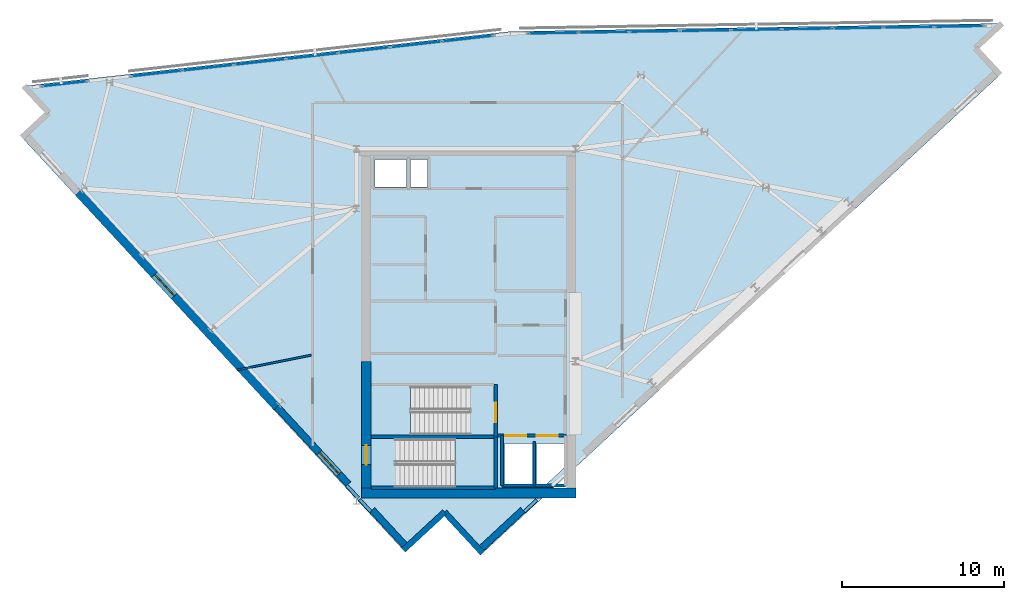
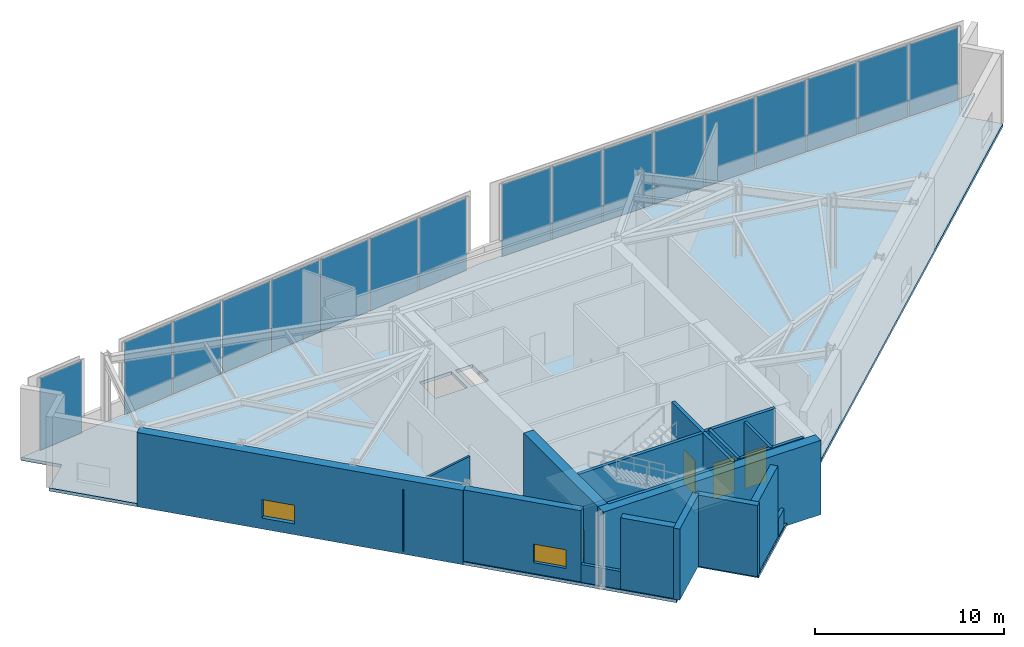
# One storey, part 8 of 12: 20 walls, 17 plates, 4 doors, 3 slabs, 2 windows, 6 openings, 5 elements without a shape of their own.
"""IFC4 building model written with IfcOpenShell, lengths in metres."""

from ifc_helpers import new_model, si_unit, direction, frame, frame_2d, origin, origin_2d, place, context, subcontext, project, spatial, polyline, rectangle, outline, extrude, material, layer, layer_set, type_object, element, fill, aggregate, save


model = new_model("IFC4")

# Units and contexts
model_context = context("Model", 3, precision=1e-05, world=origin(), true_north=direction((0.0, 1.0)))
body_context = subcontext(model_context, "Body", "Model", "MODEL_VIEW")
ifc_project = project(units=[si_unit("LENGTHUNIT", "METRE"), si_unit("AREAUNIT", "SQUARE_METRE"), si_unit("VOLUMEUNIT", "CUBIC_METRE"), si_unit("PLANEANGLEUNIT", "RADIAN"), si_unit("MASSUNIT", "GRAM", prefix="KILO")], contexts=[model_context])

# Site, building, storey
site_placement = place(None, origin())
site = spatial("IfcSite", under=ifc_project, at=site_placement, CompositionType="ELEMENT")
building_placement = place(site_placement, origin())
building = spatial("IfcBuilding", under=site, at=building_placement, Name="Narakoshi Arena Tower", CompositionType="ELEMENT")
storey_placement = place(building_placement, frame((0.0, 0.0, 298.179931640625)))
storey = spatial("IfcBuildingStorey", under=building, at=storey_placement, Name="L81", CompositionType="ELEMENT", Elevation=298.179931640625)

# Curtain wall, plate
ifc_material_1 = material(Name="Anodised bronze aluminium 6063-T6", Category="aluminium")
curtain_wall_type = type_object("IfcCurtainWallType", Name="CW-CRN-FACET", PredefinedType="NOTDEFINED", material=ifc_material_1)
curtain_wall_1_placement = place(storey_placement, origin())
curtain_wall_1 = element("IfcCurtainWall", 1, at=curtain_wall_1_placement, inside=storey, type_object=curtain_wall_type, Name="L81 Slanted-Cut Crown Curtain Wall 5-1", PredefinedType="NOTDEFINED")
ifc_material_2 = material(Name="Bronze-tinted low-E laminated glass", Category="glass")
ifc_layer_1 = layer(ifc_material_2, 0.0439453125)
ifc_layer_set_1 = layer_set([ifc_layer_1], Name="Bronze-tinted low-E laminated glass")
plate_type = type_object("IfcPlateType", Name="PLT-GLZ-44", PredefinedType="CURTAIN_PANEL", material=ifc_layer_set_1)
plate_1_placement = place(storey_placement, frame((53.931640625, 60.52734375, 0.0703125), z_axis=(0.0, 0.0, 1.0), x_axis=(0.993776228952, 0.1113948238, 0.0)))
plate_1 = element("IfcPlate", 2, at=plate_1_placement, type_object=plate_type, Name="CW-06 panel 1.1", PredefinedType="CURTAIN_PANEL", context=body_context, shape_type="SweptSolid", body=[
    extrude(rectangle(XDim=2.756591796875, YDim=0.0439453125, at=origin_2d()), origin(), (0.0, 0.0, 1.0), 4.659912109375),
])
aggregate(curtain_wall_1, [plate_1])

# Curtain wall, plates
curtain_wall_2_placement = place(storey_placement, origin())
curtain_wall_2 = element("IfcCurtainWall", 3, at=curtain_wall_2_placement, inside=storey, type_object=curtain_wall_type, Name="L81 Slanted-Cut Crown Curtain Wall 5-2", PredefinedType="NOTDEFINED")
plate_2_placement = place(storey_placement, frame((59.628662109375, 61.166015625, 0.0703125), z_axis=(0.0, 0.0, 1.0), x_axis=(0.993776180576, 0.11139525537, 0.0)))
plate_2 = element("IfcPlate", 4, at=plate_2_placement, type_object=plate_type, Name="CW-06 panel 1.1", PredefinedType="CURTAIN_PANEL", context=body_context, shape_type="SweptSolid", body=[
    extrude(rectangle(XDim=3.11572265625, YDim=0.0439453125, at=origin_2d()), origin(), (0.0, 0.0, 1.0), 4.659912109375),
])
plate_3_placement = place(storey_placement, frame((62.824462890625, 61.524169921875, 0.0703125), z_axis=(0.0, 0.0, 1.0), x_axis=(0.993776180576, 0.11139525537, 0.0)))
plate_3 = element("IfcPlate", 5, at=plate_3_placement, type_object=plate_type, Name="CW-06 panel 2.1", PredefinedType="CURTAIN_PANEL", context=body_context, shape_type="SweptSolid", body=[
    extrude(rectangle(XDim=3.15576171875, YDim=0.0439453125, at=origin_2d()), origin(), (0.0, 0.0, 1.0), 4.659912109375),
])
plate_4_placement = place(storey_placement, frame((66.040283203125, 61.884521484375, 0.0703125), z_axis=(0.0, 0.0, 1.0), x_axis=(0.993776180576, 0.11139525537, 0.0)))
plate_4 = element("IfcPlate", 6, at=plate_4_placement, type_object=plate_type, Name="CW-06 panel 3.1", PredefinedType="CURTAIN_PANEL", context=body_context, shape_type="SweptSolid", body=[
    extrude(rectangle(XDim=3.15576171875, YDim=0.0439453125, at=origin_2d()), origin(), (0.0, 0.0, 1.0), 4.659912109375),
])
plate_5_placement = place(storey_placement, frame((69.255859375, 62.2451171875, 0.0703125), z_axis=(0.0, 0.0, 1.0), x_axis=(0.993776180576, 0.11139525537, 0.0)))
plate_5 = element("IfcPlate", 7, at=plate_5_placement, type_object=plate_type, Name="CW-06 panel 4.1", PredefinedType="CURTAIN_PANEL", context=body_context, shape_type="SweptSolid", body=[
    extrude(rectangle(XDim=3.15576171875, YDim=0.0439453125, at=origin_2d()), origin(), (0.0, 0.0, 1.0), 4.659912109375),
])
plate_6_placement = place(storey_placement, frame((72.4716796875, 62.60546875, 0.0703125), z_axis=(0.0, 0.0, 1.0), x_axis=(0.993776180576, 0.11139525537, 0.0)))
plate_6 = element("IfcPlate", 8, at=plate_6_placement, type_object=plate_type, Name="CW-06 panel 5.1", PredefinedType="CURTAIN_PANEL", context=body_context, shape_type="SweptSolid", body=[
    extrude(rectangle(XDim=3.15576171875, YDim=0.0439453125, at=origin_2d()), origin(), (0.0, 0.0, 1.0), 4.659912109375),
])
plate_7_placement = place(storey_placement, frame((75.687255859375, 62.966064453125, 0.0703125), z_axis=(0.0, 0.0, 1.0), x_axis=(0.993776180576, 0.11139525537, 0.0)))
plate_7 = element("IfcPlate", 9, at=plate_7_placement, type_object=plate_type, Name="CW-06 panel 6.1", PredefinedType="CURTAIN_PANEL", context=body_context, shape_type="SweptSolid", body=[
    extrude(rectangle(XDim=3.15576171875, YDim=0.0439453125, at=origin_2d()), origin(), (0.0, 0.0, 1.0), 4.659912109375),
])
plate_8_placement = place(storey_placement, frame((78.883056640625, 63.32421875, 0.0703125), z_axis=(0.0, 0.0, 1.0), x_axis=(0.993776180576, 0.11139525537, 0.0)))
plate_8 = element("IfcPlate", 10, at=plate_8_placement, type_object=plate_type, Name="CW-06 panel 7.1", PredefinedType="CURTAIN_PANEL", context=body_context, shape_type="SweptSolid", body=[
    extrude(rectangle(XDim=3.11572265625, YDim=0.0439453125, at=origin_2d()), origin(), (0.0, 0.0, 1.0), 4.659912109375),
])
aggregate(curtain_wall_2, [plate_2, plate_3, plate_4, plate_5, plate_6, plate_7, plate_8])

curtain_wall_3_placement = place(storey_placement, origin())
curtain_wall_3 = element("IfcCurtainWall", 11, at=curtain_wall_3_placement, inside=storey, type_object=curtain_wall_type, Name="L81 Slanted-Cut Crown Curtain Wall 6-1", PredefinedType="NOTDEFINED")
plate_9_placement = place(storey_placement, frame((84.184326171875, 63.666259765625, 0.0703125), z_axis=(0.0, 0.0, 1.0), x_axis=(0.999864745217, 0.016446618882, 0.0)))
plate_9 = element("IfcPlate", 12, at=plate_9_placement, type_object=plate_type, Name="CW-06 panel 1.1", PredefinedType="CURTAIN_PANEL", context=body_context, shape_type="SweptSolid", body=[
    extrude(rectangle(XDim=3.02685546875, YDim=0.0439453125, at=origin_2d()), origin(), (0.0, 0.0, 1.0), 4.659912109375),
])
plate_10_placement = place(storey_placement, frame((87.310791015625, 63.7177734375, 0.0703125), z_axis=(0.0, 0.0, 1.0), x_axis=(0.999864745217, 0.016446618882, 0.0)))
plate_10 = element("IfcPlate", 13, at=plate_10_placement, type_object=plate_type, Name="CW-06 panel 2.1", PredefinedType="CURTAIN_PANEL", context=body_context, shape_type="SweptSolid", body=[
    extrude(rectangle(XDim=3.06689453125, YDim=0.0439453125, at=origin_2d()), origin(), (0.0, 0.0, 1.0), 4.659912109375),
])
plate_11_placement = place(storey_placement, frame((90.45703125, 63.76953125, 0.0703125), z_axis=(0.0, 0.0, 1.0), x_axis=(0.999864745217, 0.016446618882, 0.0)))
plate_11 = element("IfcPlate", 14, at=plate_11_placement, type_object=plate_type, Name="CW-06 panel 3.1", PredefinedType="CURTAIN_PANEL", context=body_context, shape_type="SweptSolid", body=[
    extrude(rectangle(XDim=3.06689453125, YDim=0.0439453125, at=origin_2d()), origin(), (0.0, 0.0, 1.0), 4.659912109375),
])
plate_12_placement = place(storey_placement, frame((93.603515625, 63.8212890625, 0.0703125), z_axis=(0.0, 0.0, 1.0), x_axis=(0.999864745217, 0.016446618882, 0.0)))
plate_12 = element("IfcPlate", 15, at=plate_12_placement, type_object=plate_type, Name="CW-06 panel 4.1", PredefinedType="CURTAIN_PANEL", context=body_context, shape_type="SweptSolid", body=[
    extrude(rectangle(XDim=3.06689453125, YDim=0.0439453125, at=origin_2d()), origin(), (0.0, 0.0, 1.0), 4.659912109375),
])
plate_13_placement = place(storey_placement, frame((96.75, 63.873046875, 0.0703125), z_axis=(0.0, 0.0, 1.0), x_axis=(0.999864745217, 0.016446618882, 0.0)))
plate_13 = element("IfcPlate", 16, at=plate_13_placement, type_object=plate_type, Name="CW-06 panel 5.1", PredefinedType="CURTAIN_PANEL", context=body_context, shape_type="SweptSolid", body=[
    extrude(rectangle(XDim=3.06689453125, YDim=0.0439453125, at=origin_2d()), origin(), (0.0, 0.0, 1.0), 4.659912109375),
])
plate_14_placement = place(storey_placement, frame((99.896484375, 63.9248046875, 0.0703125), z_axis=(0.0, 0.0, 1.0), x_axis=(0.999864745217, 0.016446618882, 0.0)))
plate_14 = element("IfcPlate", 17, at=plate_14_placement, type_object=plate_type, Name="CW-06 panel 6.1", PredefinedType="CURTAIN_PANEL", context=body_context, shape_type="SweptSolid", body=[
    extrude(rectangle(XDim=3.06689453125, YDim=0.0439453125, at=origin_2d()), origin(), (0.0, 0.0, 1.0), 4.659912109375),
])
plate_15_placement = place(storey_placement, frame((103.04296875, 63.9765625, 0.0703125), z_axis=(0.0, 0.0, 1.0), x_axis=(0.999864745217, 0.016446618882, 0.0)))
plate_15 = element("IfcPlate", 18, at=plate_15_placement, type_object=plate_type, Name="CW-06 panel 7.1", PredefinedType="CURTAIN_PANEL", context=body_context, shape_type="SweptSolid", body=[
    extrude(rectangle(XDim=3.06689453125, YDim=0.0439453125, at=origin_2d()), origin(), (0.0, 0.0, 1.0), 4.659912109375),
])
plate_16_placement = place(storey_placement, frame((106.189453125, 64.0283203125, 0.0703125), z_axis=(0.0, 0.0, 1.0), x_axis=(0.999864745217, 0.016446618882, 0.0)))
plate_16 = element("IfcPlate", 19, at=plate_16_placement, type_object=plate_type, Name="CW-06 panel 8.1", PredefinedType="CURTAIN_PANEL", context=body_context, shape_type="SweptSolid", body=[
    extrude(rectangle(XDim=3.06689453125, YDim=0.0439453125, at=origin_2d()), origin(), (0.0, 0.0, 1.0), 4.659912109375),
])
plate_17_placement = place(storey_placement, frame((109.31591796875, 64.07958984375, 0.0703125), z_axis=(0.0, 0.0, 1.0), x_axis=(0.999864745217, 0.016446618882, 0.0)))
plate_17 = element("IfcPlate", 20, at=plate_17_placement, type_object=plate_type, Name="CW-06 panel 9.1", PredefinedType="CURTAIN_PANEL", context=body_context, shape_type="SweptSolid", body=[
    extrude(rectangle(XDim=3.02685546875, YDim=0.0439453125, at=origin_2d()), origin(), (0.0, 0.0, 1.0), 4.659912109375),
])
aggregate(curtain_wall_3, [plate_9, plate_10, plate_11, plate_12, plate_13, plate_14, plate_15, plate_16, plate_17])

# Stair, slab
ifc_material_3 = material(Name="Concrete C45/55", Category="concrete")
stair_type = type_object("IfcStairType", Name="STR-CRN-480", PredefinedType="TWO_STRAIGHT_RUN_STAIR", material=ifc_material_3)
stair_1_placement = place(storey_placement, origin())
stair_1 = element("IfcStair", 21, at=stair_1_placement, inside=storey, type_object=stair_type, Name="L81 Core Escape Stair ST1", PredefinedType="TWO_STRAIGHT_RUN_STAIR")
ifc_layer_2 = layer(ifc_material_3, 0.18994140625)
ifc_layer_set_2 = layer_set([ifc_layer_2], Name="Concrete C45/55")
slab_type_1 = type_object("IfcSlabType", Name="SLB-LND-190", PredefinedType="LANDING", material=ifc_layer_set_2)
slab_1_placement = place(storey_placement, frame((0.0, 0.0, 2.2099609375)))
slab_1 = element("IfcSlab", 22, at=slab_1_placement, type_object=slab_type_1, Name="ST1 landing 1", PredefinedType="LANDING", context=body_context, shape_type="SweptSolid", body=[
    extrude(outline(polyline([(78.10498046875, 35.3701171875), (80.679931640625, 35.3701171875), (80.679931640625, 38.72998046875), (78.10498046875, 38.72998046875), (78.10498046875, 35.3701171875)])), origin(), (0.0, 0.0, 1.0), 0.190185546875),
])
aggregate(stair_1, [slab_1])

stair_2_placement = place(storey_placement, origin())
stair_2 = element("IfcStair", 23, at=stair_2_placement, inside=storey, type_object=stair_type, Name="L81 Core Escape Stair ST2", PredefinedType="TWO_STRAIGHT_RUN_STAIR")
slab_2_placement = place(storey_placement, frame((0.0, 0.0, 2.2099609375)))
slab_2 = element("IfcSlab", 24, at=slab_2_placement, type_object=slab_type_1, Name="ST2 landing 1", PredefinedType="LANDING", context=body_context, shape_type="SweptSolid", body=[
    extrude(outline(polyline([(72.77001953125, 38.6201171875), (75.344970703125, 38.6201171875), (75.344970703125, 41.97998046875), (72.77001953125, 41.97998046875), (72.77001953125, 38.6201171875)])), origin(), (0.0, 0.0, 1.0), 0.190185546875),
])
aggregate(stair_2, [slab_2])

# Slab
ifc_layer_3 = layer(ifc_material_3, 0.199951171875)
ifc_layer_set_3 = layer_set([ifc_layer_3], Name="Concrete C45/55")
slab_type_2 = type_object("IfcSlabType", Name="SLB-TWR-200", PredefinedType="FLOOR", material=ifc_layer_set_3)
slab_3_placement = place(storey_placement, frame((0.0, 0.0, -0.199951171875)))
element("IfcSlab", 25, at=slab_3_placement, inside=storey, type_object=slab_type_2, Name="L81 Structural Floor Slab", PredefinedType="FLOOR", context=body_context, shape_type="SweptSolid", body=[
    extrude(outline(polyline([(77.45068359375, 34.01953125), (74.9033203125, 31.664794921875), (51.298095703125, 57.200439453125), (52.9541015625, 58.731201171875), (51.42333984375, 60.38720703125), (81.538818359375, 63.7626953125), (111.956787109375, 64.26318359375), (110.30078125, 62.732421875), (111.83154296875, 61.076416015625), (79.8056640625, 31.47216796875), (77.45068359375, 34.01953125)]), holes=[polyline([(80.5, 35.550048828125), (74.47998046875, 35.550048828125), (74.47998046875, 38.550048828125), (80.5, 38.550048828125), (80.5, 35.550048828125)]), polyline([(82.89990234375, 38.25), (82.89990234375, 35.75), (81.14990234375, 35.75), (81.14990234375, 38.25), (82.89990234375, 38.25)]), polyline([(84.89990234375, 36.794189453125), (83.7705078125, 35.75), (83.14990234375, 35.75), (83.14990234375, 38.25), (84.89990234375, 38.25), (84.89990234375, 36.794189453125)]), polyline([(78.969970703125, 41.800048828125), (78.969970703125, 38.800048828125), (72.949951171875, 38.800048828125), (72.949951171875, 41.800048828125), (78.969970703125, 41.800048828125)]), polyline([(75.10009765625, 54.14990234375), (73.14990234375, 54.14990234375), (73.14990234375, 55.85009765625), (75.10009765625, 55.85009765625), (75.10009765625, 54.14990234375)]), polyline([(76.39990234375, 54.14990234375), (75.35009765625, 54.14990234375), (75.35009765625, 55.85009765625), (76.39990234375, 55.85009765625), (76.39990234375, 54.14990234375)])]), origin(), (0.0, 0.0, 1.0), 0.199951171875),
])

# Wall, opening, door
ifc_material_4 = material(Name="Concrete C50/60", Category="concrete")
ifc_layer_4 = layer(ifc_material_4, 0.60009765625)
ifc_layer_set_4 = layer_set([ifc_layer_4], Name="Concrete C50/60")
wall_type_1 = type_object("IfcWallType", Name="WL-CORE-600", PredefinedType="SHEAR", material=ifc_layer_set_4)
wall_1_placement = place(storey_placement, frame((72.60009765625, 35.5, -0.199951171875), z_axis=(0.0, 0.0, 1.0), x_axis=(0.0, 1.0, 0.0)))
wall_1 = element("IfcWall", 26, at=wall_1_placement, inside=storey, type_object=wall_type_1, Name="L81 Central Core Shear Wall CW-APX-W", PredefinedType="SHEAR", context=body_context, shape_type="SweptSolid", body=[
    extrude(rectangle(XDim=7.85009765625, YDim=0.60009765625, at=frame_2d((3.925048828125, 0.0))), origin(), (0.0, 0.0, 1.0), 4.800048828125),
])
opening_1_placement = place(wall_1_placement, frame((1.449951171875, 0.0, 0.199951171875)))
opening_1 = element("IfcOpeningElement", 27, at=opening_1_placement, cuts=wall_1, Name="Opening D-03", PredefinedType="OPENING", context=body_context, shape_type="SweptSolid", body=[
    extrude(rectangle(XDim=1.199951171875, YDim=2.199951171875, at=frame_2d((0.60009765625, 1.10009765625))), frame((0.0, 0.31005859375, 0.0), z_axis=(0.0, -1.0, 0.0), x_axis=(1.0, 0.0, 0.0)), (0.0, 0.0, 1.0), 0.6201171875),
])
ifc_material_5 = material(Name="Painted galvanized steel", Category="steel")
door_type_1 = type_object("IfcDoorType", Name="DR-STR-1200", OperationType="NOTDEFINED", PredefinedType="USERDEFINED", material=ifc_material_5)
door_1_placement = place(opening_1_placement, frame((1.199951171875, 0.0, 0.0), z_axis=(0.0, 0.0, 1.0), x_axis=(-1.0, 0.0, 0.0)))
door_1 = element("IfcDoor", 28, at=door_1_placement, inside=storey, type_object=door_type_1, Name="DR-L81-001", ObjectType="EXITDOOR", OperationType="SINGLE_SWING_LEFT", OverallHeight=2.199951171875, OverallWidth=1.199951171875, PredefinedType="USERDEFINED", context=body_context, shape_type="SweptSolid", body=[
    extrude(rectangle(XDim=1.199951171875, YDim=2.199951171875, at=frame_2d((0.60009765625, 1.10009765625))), frame((0.0, 0.02490234375, 0.0), z_axis=(0.0, -1.0, 0.0), x_axis=(1.0, 0.0, 0.0)), (0.0, 0.0, 1.0), 0.050048828125),
])
fill(opening_1, door_1)

# Wall
wall_2_placement = place(storey_placement, frame((72.300048828125, 35.199951171875, -0.199951171875), z_axis=(0.0, 0.0, 1.0), x_axis=(1.0, 0.0, 0.0)))
element("IfcWall", 29, at=wall_2_placement, inside=storey, type_object=wall_type_1, Name="L81 Central Core Shear Wall CW-APX-S", PredefinedType="SHEAR", context=body_context, shape_type="SweptSolid", body=[
    extrude(rectangle(XDim=13.300048828125, YDim=0.60009765625, at=frame_2d((6.64990234375, 0.0))), origin(), (0.0, 0.0, 1.0), 4.800048828125),
])

# Wall, opening, window
ifc_layer_5 = layer(ifc_material_4, 0.550048828125)
ifc_layer_set_5 = layer_set([ifc_layer_5], Name="Concrete C50/60")
wall_type_2 = type_object("IfcWallType", Name="WL-LEG-550", PredefinedType="SHEAR", material=ifc_layer_set_5)
wall_3_placement = place(storey_placement, frame((54.804931640625, 53.81201171875, -0.199951171875), z_axis=(0.0, 0.0, 1.0), x_axis=(0.678803115619, -0.734320318543, 0.0)))
wall_3 = element("IfcWall", 30, at=wall_3_placement, inside=storey, type_object=wall_type_2, Name="L81 Architectural Concrete Structural Wall LEGB-2", PredefinedType="SHEAR", context=body_context, shape_type="SweptSolid", body=[
    extrude(outline(polyline([(0.0, 0.0), (18.082763671875, 0.0), (18.082763671875, 4.800048828125), (0.0, 4.800048828125), (0.0, 0.0)])), frame((0.0, 0.27490234375, 0.0), z_axis=(0.0, -1.0, 0.0), x_axis=(1.0, 0.0, 0.0)), (0.0, 0.0, 1.0), 0.550048828125),
])
opening_2_placement = place(wall_3_placement, frame((6.934326171875, 0.0, 0.699951171875)))
opening_2 = element("IfcOpeningElement", 31, at=opening_2_placement, cuts=wall_3, Name="Opening WN-05", PredefinedType="OPENING", context=body_context, shape_type="SweptSolid", body=[
    extrude(rectangle(XDim=1.800048828125, YDim=1.199951171875, at=frame_2d((0.89990234375, 0.60009765625))), frame((0.0, 0.284912109375, 0.0), z_axis=(0.0, -1.0, 0.0), x_axis=(1.0, 0.0, 0.0)), (0.0, 0.0, 1.0), 0.570068359375),
])
window_type = type_object("IfcWindowType", Name="WIN-SLT-18x12", PartitioningType="SINGLE_PANEL", PredefinedType="WINDOW", material=ifc_material_2)
window_1_placement = place(opening_2_placement, origin())
window_1 = element("IfcWindow", 32, at=window_1_placement, inside=storey, type_object=window_type, Name="L81 LEGB2 Horizontal Slot Window 1", OverallHeight=1.199951171875, OverallWidth=1.800048828125, PartitioningType="SINGLE_PANEL", PredefinedType="WINDOW", context=body_context, shape_type="SweptSolid", body=[
    extrude(rectangle(XDim=1.800048828125, YDim=1.199951171875, at=frame_2d((0.89990234375, 0.60009765625))), frame((0.0, 0.030029296875, 0.0), z_axis=(0.0, -1.0, 0.0), x_axis=(1.0, 0.0, 0.0)), (0.0, 0.0, 1.0), 0.06005859375),
])
fill(opening_2, window_1)

# Walls
ifc_material_6 = material(Name="Precast concrete C45/55", Category="concrete")
ifc_layer_6 = layer(ifc_material_6, 0.25)
ifc_layer_set_6 = layer_set([ifc_layer_6], Name="Precast concrete C45/55")
wall_type_3 = type_object("IfcWallType", Name="WL-PARA-250", PredefinedType="PARAPET", material=ifc_layer_set_6)
wall_4_placement = place(storey_placement, frame((72.881103515625, 34.058349609375, 0.0), z_axis=(0.0, 0.0, 1.0), x_axis=(-0.678872530156, 0.734256145905, 0.0)))
element("IfcWall", 33, at=wall_4_placement, inside=storey, type_object=wall_type_3, Name="L81 Crown Sill Upstand Parapet 01", PredefinedType="PARAPET", context=body_context, shape_type="SweptSolid", body=[
    extrude(rectangle(XDim=1.009521484375, YDim=0.199951171875, at=frame_2d((0.5048828125, 0.0))), origin(), (0.0, 0.0, 1.0), 1.150146484375),
])
wall_5_placement = place(storey_placement, frame((72.114990234375, 34.88720703125, 0.0), z_axis=(0.0, 0.0, 1.0), x_axis=(-0.678713667452, 0.734402994012, 0.0)))
element("IfcWall", 34, at=wall_5_placement, inside=storey, type_object=wall_type_3, Name="L81 Crown Sill Upstand Parapet 02", PredefinedType="PARAPET", context=body_context, shape_type="SweptSolid", body=[
    extrude(rectangle(XDim=1.05224609375, YDim=0.199951171875, at=frame_2d((0.526123046875, 0.0))), origin(), (0.0, 0.0, 1.0), 1.150146484375),
])
wall_6_placement = place(storey_placement, frame((83.15625, 34.760009765625, 0.0), z_axis=(0.0, 0.0, 1.0), x_axis=(-0.734364355784, -0.678755473609, 0.0)))
element("IfcWall", 35, at=wall_6_placement, inside=storey, type_object=wall_type_3, Name="L81 Crown Sill Upstand Parapet 07", PredefinedType="PARAPET", context=body_context, shape_type="SweptSolid", body=[
    extrude(rectangle(XDim=1.044921875, YDim=0.199951171875, at=frame_2d((0.5224609375, 0.0))), origin(), (0.0, 0.0, 1.0), 1.150146484375),
])
ifc_material_7 = material(Name="Gypsum plasterboard fire-rated partition")
ifc_layer_7 = layer(ifc_material_7, 0.125)
ifc_layer_set_7 = layer_set([ifc_layer_7], Name="Gypsum plasterboard fire-rated partition")
wall_type_4 = type_object("IfcWallType", Name="WL-PART-125", PredefinedType="PARTITIONING", material=ifc_layer_set_7)
wall_7_placement = place(storey_placement, frame((64.59912109375, 42.811767578125, 0.0), z_axis=(0.0, 0.0, 1.0), x_axis=(0.980756213001, 0.195236396864, 0.0)))
element("IfcWall", 36, at=wall_7_placement, inside=storey, type_object=wall_type_4, Name="L81 Inter-Room Partition 01-04", PredefinedType="PARTITIONING", context=body_context, shape_type="SweptSolid", body=[
    extrude(rectangle(XDim=4.69677734375, YDim=0.125, at=frame_2d((2.348388671875, 0.0))), origin(), (0.0, 0.0, 1.0), 3.985107421875),
])
ifc_layer_8 = layer(ifc_material_6, 0.419921875)
ifc_layer_set_8 = layer_set([ifc_layer_8], Name="Precast concrete C45/55")
wall_type_5 = type_object("IfcWallType", Name="WL-POD-420", PredefinedType="SOLIDWALL", material=ifc_layer_set_8)
wall_8_placement = place(storey_placement, frame((79.618896484375, 31.674072265625, 0.0), z_axis=(0.0, 0.0, 1.0), x_axis=(0.734338793707, 0.678783128884, 0.0)))
element("IfcWall", 37, at=wall_8_placement, inside=storey, type_object=wall_type_5, Name="L81 Architectural Concrete Facade Wall LEGA-1", PredefinedType="SOLIDWALL", context=body_context, shape_type="SweptSolid", body=[
    extrude(outline(polyline([(0.0, 0.0), (3.6474609375, 0.0), (3.647705078125, 4.60009765625), (0.0, 4.60009765625), (0.0, 0.0)])), frame((0.0, 0.2099609375, 0.0), z_axis=(0.0, -1.0, 0.0), x_axis=(1.0, 0.0, 0.0)), (0.0, 0.0, 1.0), 0.419921875),
])

# Wall, opening, window
wall_9_placement = place(storey_placement, frame((67.07958984375, 40.533447265625, 0.0), z_axis=(0.0, 0.0, 1.0), x_axis=(0.678800006437, -0.734323192648, 0.0)))
wall_9 = element("IfcWall", 38, at=wall_9_placement, inside=storey, type_object=wall_type_5, Name="L81 Architectural Concrete Facade Wall LEGB-3", PredefinedType="SOLIDWALL", context=body_context, shape_type="SweptSolid", body=[
    extrude(outline(polyline([(0.0, 0.0), (6.51220703125, 0.0), (6.51220703125, 4.60009765625), (0.0, 4.60009765625), (0.0, 0.0)])), frame((0.0, 0.2099609375, 0.0), z_axis=(0.0, -1.0, 0.0), x_axis=(1.0, 0.0, 0.0)), (0.0, 0.0, 1.0), 0.419921875),
])
opening_3_placement = place(wall_9_placement, frame((3.865234375, 0.0, 0.699951171875)))
opening_3 = element("IfcOpeningElement", 39, at=opening_3_placement, cuts=wall_9, Name="Opening WN-05", PredefinedType="OPENING", context=body_context, shape_type="SweptSolid", body=[
    extrude(rectangle(XDim=1.800048828125, YDim=1.199951171875, at=frame_2d((0.89990234375, 0.60009765625))), frame((0.0, 0.219970703125, 0.0), z_axis=(0.0, -1.0, 0.0), x_axis=(1.0, 0.0, 0.0)), (0.0, 0.0, 1.0), 0.43994140625),
])
window_2_placement = place(opening_3_placement, origin())
window_2 = element("IfcWindow", 40, at=window_2_placement, inside=storey, type_object=window_type, Name="L81 LEGB3 Horizontal Slot Window 1", OverallHeight=1.199951171875, OverallWidth=1.800048828125, PartitioningType="SINGLE_PANEL", PredefinedType="WINDOW", context=body_context, shape_type="SweptSolid", body=[
    extrude(rectangle(XDim=1.800048828125, YDim=1.199951171875, at=frame_2d((0.89990234375, 0.60009765625))), frame((0.0, 0.030029296875, 0.0), z_axis=(0.0, -1.0, 0.0), x_axis=(1.0, 0.0, 0.0)), (0.0, 0.0, 1.0), 0.06005859375),
])
fill(opening_3, window_2)

# Walls
wall_10_placement = place(storey_placement, frame((72.980224609375, 34.14990234375, 0.0), z_axis=(0.0, 0.0, 1.0), x_axis=(0.67879500555, -0.73432781538, 0.0)))
element("IfcWall", 41, at=wall_10_placement, inside=storey, type_object=wall_type_5, Name="L81 Architectural Concrete Facade Wall LEGB-4", PredefinedType="SOLIDWALL", context=body_context, shape_type="SweptSolid", body=[
    extrude(outline(polyline([(0.0, 0.0), (3.130126953125, 0.0), (3.13037109375, 4.60009765625), (0.0, 4.60009765625), (0.0, 0.0)])), frame((0.0, 0.2099609375, 0.0), z_axis=(0.0, -1.0, 0.0), x_axis=(1.0, 0.0, 0.0)), (0.0, 0.0, 1.0), 0.419921875),
])
wall_11_placement = place(storey_placement, frame((74.9033203125, 31.664794921875, 0.0), z_axis=(0.0, 0.0, 1.0), x_axis=(0.734325680362, 0.678797315228, 0.0)))
element("IfcWall", 42, at=wall_11_placement, inside=storey, type_object=wall_type_5, Name="L81 Re-Entrant Corner Notch Wall NTA-1", PredefinedType="SOLIDWALL", context=body_context, shape_type="SweptSolid", body=[
    extrude(rectangle(XDim=3.468994140625, YDim=0.360107421875, at=frame_2d((1.734375, 0.0))), origin(), (0.0, 0.0, 1.0), 4.60009765625),
])
wall_12_placement = place(storey_placement, frame((77.45068359375, 34.01953125, 0.0), z_axis=(0.0, 0.0, 1.0), x_axis=(0.678835262818, -0.734290600481, 0.0)))
element("IfcWall", 43, at=wall_12_placement, inside=storey, type_object=wall_type_5, Name="L81 Re-Entrant Corner Notch Wall NTA-2", PredefinedType="SOLIDWALL", context=body_context, shape_type="SweptSolid", body=[
    extrude(rectangle(XDim=3.46923828125, YDim=0.360107421875, at=frame_2d((1.734619140625, 0.0))), origin(), (0.0, 0.0, 1.0), 4.60009765625),
])
ifc_material_8 = material(Name="Concrete C40/50", Category="concrete")
ifc_layer_9 = layer(ifc_material_8, 0.280029296875)
ifc_layer_set_9 = layer_set([ifc_layer_9], Name="Concrete C40/50")
wall_type_6 = type_object("IfcWallType", Name="WL-RISER-280", PredefinedType="PLUMBINGWALL", material=ifc_layer_set_9)
wall_13_placement = place(storey_placement, frame((83.0, 35.64990234375, 0.0), z_axis=(0.0, 0.0, 1.0), x_axis=(0.0, 1.0, 0.0)))
element("IfcWall", 44, at=wall_13_placement, inside=storey, type_object=wall_type_6, Name="L81 Core Wall FF-DIV", PredefinedType="PLUMBINGWALL", context=body_context, shape_type="SweptSolid", body=[
    extrude(rectangle(XDim=2.75, YDim=0.159912109375, at=frame_2d((1.375, 0.0))), origin(), (0.0, 0.0, 1.0), 4.60009765625),
])
ifc_layer_10 = layer(ifc_material_4, 0.35009765625)
ifc_layer_set_10 = layer_set([ifc_layer_10], Name="Concrete C50/60")
wall_type_7 = type_object("IfcWallType", Name="WL-SHAFT-350", PredefinedType="SOLIDWALL", material=ifc_layer_set_10)
for number, where, z_axis, x_axis, name in (
    (45, (72.919921875, 35.52001953125, -0.199951171875), (0.0, 0.0, 1.0), (1.0, 0.0, 0.0), "L81 Core Wall ST1-S"),
    (46, (72.919921875, 38.675048828125, -0.199951171875), (0.0, 0.0, 1.0), (1.0, 0.0, 0.0), "L81 Core Wall ST12-DIV"),
):
    element("IfcWall", number, at=place(storey_placement, frame(where, z_axis=z_axis, x_axis=x_axis)), inside=storey, type_object=wall_type_7, Name=name, PredefinedType="SOLIDWALL", context=body_context, shape_type="SweptSolid", body=[
        extrude(rectangle(XDim=7.7001953125, YDim=0.199951171875, at=frame_2d((3.85009765625, 0.0))), origin(), (0.0, 0.0, 1.0), 4.800048828125),
    ])
wall_14_placement = place(storey_placement, frame((80.6201171875, 35.52001953125, -0.199951171875), z_axis=(0.0, 0.0, 1.0), x_axis=(0.0, 1.0, 0.0)))
element("IfcWall", 47, at=wall_14_placement, inside=storey, type_object=wall_type_7, Name="L81 Core Wall ST1-E", PredefinedType="SOLIDWALL", context=body_context, shape_type="SweptSolid", body=[
    extrude(rectangle(XDim=3.155029296875, YDim=0.199951171875, at=frame_2d((1.57763671875, 0.0))), origin(), (0.0, 0.0, 1.0), 4.800048828125),
])

# Wall, opening, door
wall_15_placement = place(storey_placement, frame((80.6201171875, 38.675048828125, -0.199951171875), z_axis=(0.0, 0.0, 1.0), x_axis=(0.0, 1.0, 0.0)))
wall_15 = element("IfcWall", 48, at=wall_15_placement, inside=storey, type_object=wall_type_7, Name="L81 Core Wall ST2-E", PredefinedType="SOLIDWALL", context=body_context, shape_type="SweptSolid", body=[
    extrude(rectangle(XDim=3.244873046875, YDim=0.199951171875, at=frame_2d((1.62255859375, 0.0))), origin(), (0.0, 0.0, 1.0), 4.800048828125),
])
opening_4_placement = place(wall_15_placement, frame((0.89990234375, 0.0, 0.199951171875)))
opening_4 = element("IfcOpeningElement", 49, at=opening_4_placement, cuts=wall_15, Name="Opening D-03", PredefinedType="OPENING", context=body_context, shape_type="SweptSolid", body=[
    extrude(rectangle(XDim=1.199951171875, YDim=2.199951171875, at=frame_2d((0.60009765625, 1.10009765625))), frame((0.0, 0.10986328125, 0.0), z_axis=(0.0, -1.0, 0.0), x_axis=(1.0, 0.0, 0.0)), (0.0, 0.0, 1.0), 0.219970703125),
])
door_2_placement = place(opening_4_placement, origin())
door_2 = element("IfcDoor", 50, at=door_2_placement, inside=storey, type_object=door_type_1, Name="DR-L81-002", ObjectType="EXITDOOR", OperationType="SINGLE_SWING_RIGHT", OverallHeight=2.199951171875, OverallWidth=1.199951171875, PredefinedType="USERDEFINED", context=body_context, shape_type="SweptSolid", body=[
    extrude(rectangle(XDim=1.199951171875, YDim=2.199951171875, at=frame_2d((0.60009765625, 1.10009765625))), frame((0.0, 0.02490234375, 0.0), z_axis=(0.0, -1.0, 0.0), x_axis=(1.0, 0.0, 0.0)), (0.0, 0.0, 1.0), 0.050048828125),
])
fill(opening_4, door_2)

# Wall, openings, doors
wall_16_placement = place(storey_placement, frame((80.719970703125, 38.75, 0.0), z_axis=(0.0, 0.0, 1.0), x_axis=(1.0, 0.0, 0.0)))
wall_16 = element("IfcWall", 51, at=wall_16_placement, inside=storey, type_object=wall_type_7, Name="L81 Core Wall FF-N", PredefinedType="SOLIDWALL", context=body_context, shape_type="SweptSolid", body=[
    extrude(rectangle(XDim=4.260009765625, YDim=0.199951171875, at=frame_2d((2.1298828125, 0.0))), origin(), (0.0, 0.0, 1.0), 4.60009765625),
])
opening_5_placement = place(wall_16_placement, frame((0.5, 0.0, 0.0)))
opening_5 = element("IfcOpeningElement", 52, at=opening_5_placement, cuts=wall_16, Name="Opening LD-02", PredefinedType="OPENING", context=body_context, shape_type="SweptSolid", body=[
    extrude(rectangle(XDim=1.300048828125, YDim=2.300048828125, at=frame_2d((0.64990234375, 1.14990234375))), frame((0.0, 0.10986328125, 0.0), z_axis=(0.0, -1.0, 0.0), x_axis=(1.0, 0.0, 0.0)), (0.0, 0.0, 1.0), 0.219970703125),
])
opening_6_placement = place(wall_16_placement, frame((2.449951171875, 0.0, 0.0)))
opening_6 = element("IfcOpeningElement", 53, at=opening_6_placement, cuts=wall_16, Name="Opening LD-02", PredefinedType="OPENING", context=body_context, shape_type="SweptSolid", body=[
    extrude(rectangle(XDim=1.300048828125, YDim=2.300048828125, at=frame_2d((0.64990234375, 1.14990234375))), frame((0.0, 0.10986328125, 0.0), z_axis=(0.0, -1.0, 0.0), x_axis=(1.0, 0.0, 0.0)), (0.0, 0.0, 1.0), 0.219970703125),
])
ifc_material_9 = material(Name="Brushed bronze stainless steel", Category="steel")
door_type_2 = type_object("IfcDoorType", Name="DR-LFT-1300", OperationType="DOUBLE_DOOR_SLIDING", PredefinedType="DOOR", material=ifc_material_9)
door_3_placement = place(opening_5_placement, origin())
door_3 = element("IfcDoor", 54, at=door_3_placement, inside=storey, type_object=door_type_2, Name="DR-L81-003", OperationType="DOUBLE_DOOR_SLIDING", OverallHeight=2.300048828125, OverallWidth=1.300048828125, PredefinedType="DOOR", context=body_context, shape_type="SweptSolid", body=[
    extrude(rectangle(XDim=1.300048828125, YDim=2.300048828125, at=frame_2d((0.64990234375, 1.14990234375))), frame((0.0, 0.02490234375, 0.0), z_axis=(0.0, -1.0, 0.0), x_axis=(1.0, 0.0, 0.0)), (0.0, 0.0, 1.0), 0.050048828125),
])
fill(opening_5, door_3)
door_4_placement = place(opening_6_placement, origin())
door_4 = element("IfcDoor", 55, at=door_4_placement, inside=storey, type_object=door_type_2, Name="DR-L81-004", OperationType="DOUBLE_DOOR_SLIDING", OverallHeight=2.300048828125, OverallWidth=1.300048828125, PredefinedType="DOOR", context=body_context, shape_type="SweptSolid", body=[
    extrude(rectangle(XDim=1.300048828125, YDim=2.300048828125, at=frame_2d((0.64990234375, 1.14990234375))), frame((0.0, 0.02490234375, 0.0), z_axis=(0.0, -1.0, 0.0), x_axis=(1.0, 0.0, 0.0)), (0.0, 0.0, 1.0), 0.050048828125),
])
fill(opening_6, door_4)

# Walls
wall_17_placement = place(storey_placement, frame((81.02001953125, 35.64990234375, 0.0), z_axis=(0.0, 0.0, 1.0), x_axis=(0.0, 1.0, 0.0)))
element("IfcWall", 56, at=wall_17_placement, inside=storey, type_object=wall_type_7, Name="L81 Core Wall FF-W", PredefinedType="SOLIDWALL", context=body_context, shape_type="SweptSolid", body=[
    extrude(rectangle(XDim=3.10009765625, YDim=0.179931640625, at=frame_2d((1.550048828125, 0.0))), origin(), (0.0, 0.0, 1.0), 4.60009765625),
])
wall_18_placement = place(storey_placement, frame((81.02001953125, 35.64990234375, 0.0), z_axis=(0.0, 0.0, 1.0), x_axis=(1.0, 0.0, 0.0)))
element("IfcWall", 57, at=wall_18_placement, inside=storey, type_object=wall_type_7, Name="L81 Core Wall FF-S", PredefinedType="SOLIDWALL", context=body_context, shape_type="SweptSolid", body=[
    extrude(rectangle(XDim=3.929931640625, YDim=0.179931640625, at=frame_2d((1.96484375, 0.0))), origin(), (0.0, 0.0, 1.0), 4.60009765625),
])

save(model, "model.ifc")
